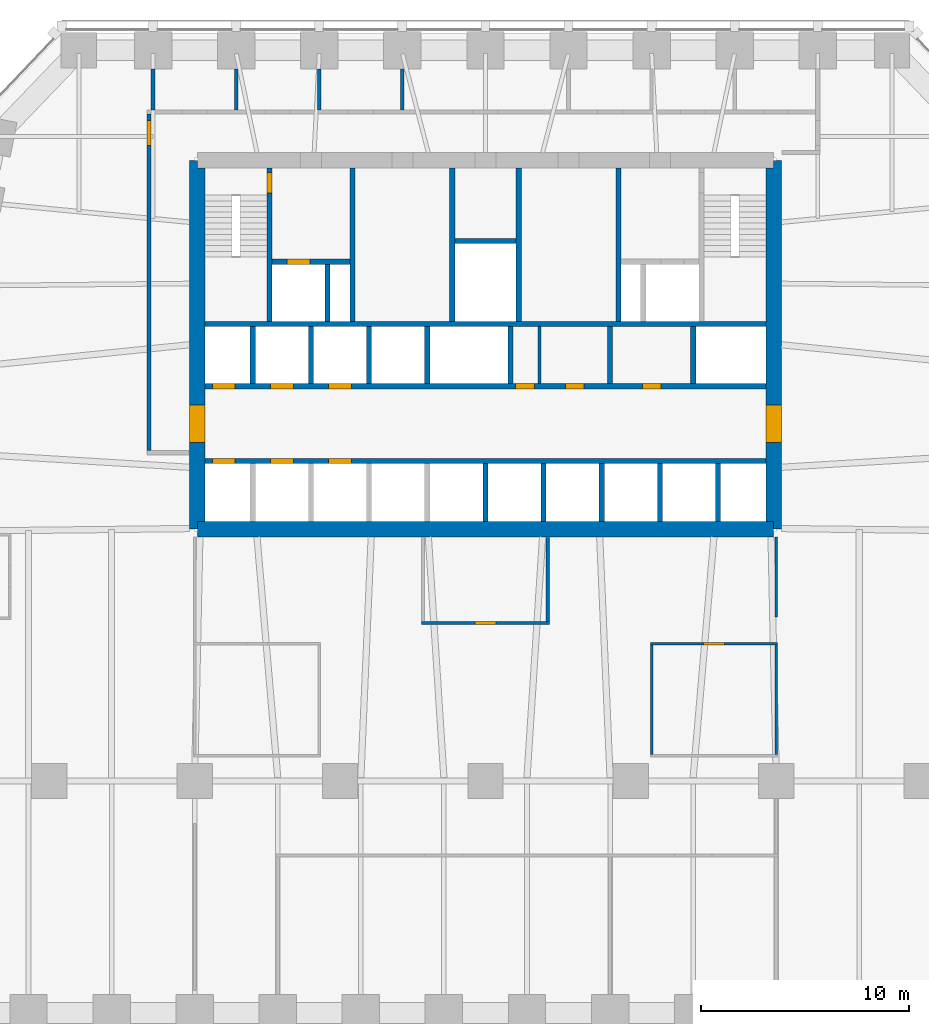
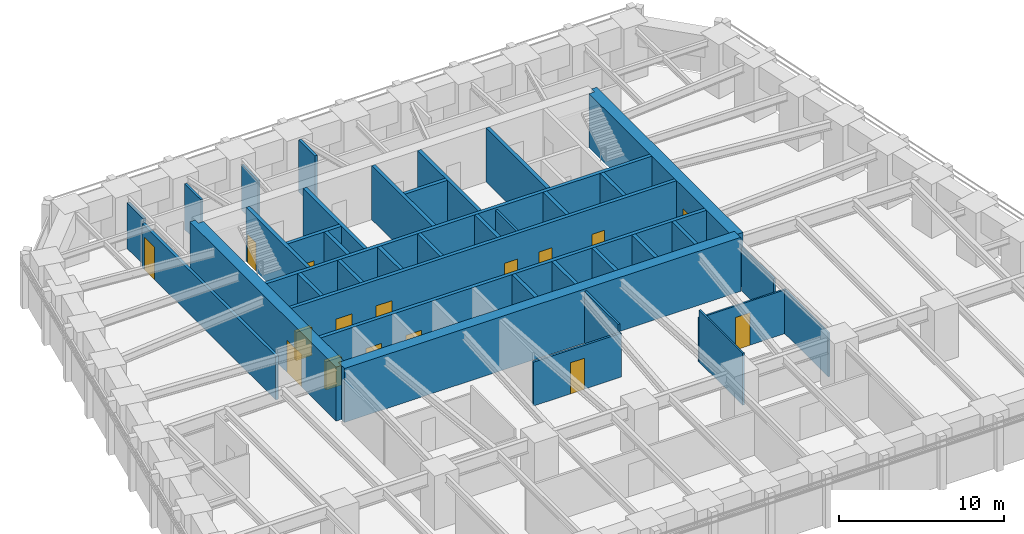
# One storey, part 6 of 9: 38 walls, 16 doors, 16 openings.
"""IFC4 building model written with IfcOpenShell, lengths in metres."""

from ifc_helpers import new_model, si_unit, direction, frame, frame_2d, origin, place, context, subcontext, project, spatial, polyline, rectangle, outline, extrude, material, layer, layer_set, type_object, element, fill, save


model = new_model("IFC4")

# Units and contexts
model_context = context("Model", 3, precision=1e-05, world=origin(), true_north=direction((0.0, 1.0)))
body_context = subcontext(model_context, "Body", "Model", "MODEL_VIEW")
ifc_project = project(units=[si_unit("LENGTHUNIT", "METRE"), si_unit("AREAUNIT", "SQUARE_METRE"), si_unit("VOLUMEUNIT", "CUBIC_METRE"), si_unit("PLANEANGLEUNIT", "RADIAN"), si_unit("MASSUNIT", "GRAM", prefix="KILO")], contexts=[model_context])

# Site, building, storey
site_placement = place(None, origin())
site = spatial("IfcSite", under=ifc_project, at=site_placement, CompositionType="ELEMENT")
building_placement = place(site_placement, origin())
building = spatial("IfcBuilding", under=site, at=building_placement, Name="Isbrekke Arena Tower", CompositionType="ELEMENT")
storey_placement = place(building_placement, frame((0.0, 0.0, 131.0)))
storey = spatial("IfcBuildingStorey", under=building, at=storey_placement, Name="L29", CompositionType="ELEMENT", Elevation=131.0)

# Wall
ifc_material_1 = material(Name="Concrete B55 (C55/67)", Category="concrete")
ifc_layer_1 = layer(ifc_material_1, 0.75)
ifc_layer_set_1 = layer_set([ifc_layer_1], Name="CW3 CORE WALL 750")
wall_type_1 = type_object("IfcWallType", Name="CW3 CORE WALL 750", PredefinedType="SHEAR", material=ifc_layer_set_1)
wall_1_placement = place(storey_placement, frame((-13.875, 6.125, 0.0), z_axis=(0.0, 0.0, 1.0), x_axis=(1.0, 0.0, 0.0)))
element("IfcWall", 1, at=wall_1_placement, inside=storey, type_object=wall_type_1, Name="Core wall S L29", PredefinedType="SHEAR", context=body_context, shape_type="SweptSolid", body=[
    extrude(rectangle(XDim=27.75, YDim=0.75, at=frame_2d((13.875, 0.0))), origin(), (0.0, 0.0, 1.0), 4.0),
])

# Wall, opening, door
wall_2_placement = place(storey_placement, frame((13.875, 6.125, 0.0), z_axis=(0.0, 0.0, 1.0), x_axis=(0.0, 1.0, 0.0)))
wall_2 = element("IfcWall", 2, at=wall_2_placement, inside=storey, type_object=wall_type_1, Name="Core wall E L29", PredefinedType="SHEAR", context=body_context, shape_type="SweptSolid", body=[
    extrude(outline(polyline([(0.0, -0.375), (17.75, -0.375), (17.75, 0.0), (17.375, 0.0), (17.375, 0.375), (0.375, 0.375), (0.375, 0.0), (0.0, 0.0), (0.0, -0.375)])), origin(), (0.0, 0.0, 1.0), 4.0),
])
opening_1_placement = place(wall_2_placement, frame((4.175048828125, 0.0, 0.0)))
opening_1 = element("IfcOpeningElement", 3, at=opening_1_placement, cuts=wall_2, Name="Opening D1", PredefinedType="OPENING", context=body_context, shape_type="SweptSolid", body=[
    extrude(rectangle(XDim=1.800048828125, YDim=2.39990234375, at=frame_2d((0.89990234375, 1.199951171875))), frame((0.0, 0.389892578125, 0.0), z_axis=(0.0, -1.0, 0.0), x_axis=(1.0, 0.0, 0.0)), (0.0, 0.0, 1.0), 0.77978515625),
])
ifc_material_2 = material(Name="Steel-framed glazed fire door", Category="steel")
door_type_1 = type_object("IfcDoorType", Name="D1 CORE LOBBY DOOR 1800 x 2400", OperationType="DOUBLE_DOOR_SINGLE_SWING", PredefinedType="DOOR", material=ifc_material_2)
door_1_placement = place(opening_1_placement, origin())
door_1 = element("IfcDoor", 4, at=door_1_placement, inside=storey, type_object=door_type_1, Name="D1 lift lobby door east L29", OperationType="DOUBLE_DOOR_SINGLE_SWING", OverallHeight=2.39990234375, OverallWidth=1.800048828125, PredefinedType="DOOR", context=body_context, shape_type="SweptSolid", body=[
    extrude(rectangle(XDim=1.800048828125, YDim=2.39990234375, at=frame_2d((0.89990234375, 1.199951171875))), frame((0.0, 0.374755859375, 0.0), z_axis=(0.0, -1.0, 0.0), x_axis=(1.0, 0.0, 0.0)), (0.0, 0.0, 1.0), 0.74951171875),
])
fill(opening_1, door_1)

wall_3_placement = place(storey_placement, frame((-13.875, 23.875, 0.0), z_axis=(0.0, 0.0, 1.0), x_axis=(0.0, -1.0, 0.0)))
wall_3 = element("IfcWall", 5, at=wall_3_placement, inside=storey, type_object=wall_type_1, Name="Core wall W L29", PredefinedType="SHEAR", context=body_context, shape_type="SweptSolid", body=[
    extrude(outline(polyline([(0.0, -0.375), (17.75, -0.375), (17.75, 0.0), (17.375, 0.0), (17.375, 0.375), (0.375, 0.375), (0.375, 0.0), (0.0, 0.0), (0.0, -0.375)])), origin(), (0.0, 0.0, 1.0), 4.0),
])
opening_2_placement = place(wall_3_placement, frame((11.77490234375, 0.0, 0.0)))
opening_2 = element("IfcOpeningElement", 6, at=opening_2_placement, cuts=wall_3, Name="Opening D1", PredefinedType="OPENING", context=body_context, shape_type="SweptSolid", body=[
    extrude(rectangle(XDim=1.800048828125, YDim=2.39990234375, at=frame_2d((0.89990234375, 1.199951171875))), frame((0.0, 0.389892578125, 0.0), z_axis=(0.0, -1.0, 0.0), x_axis=(1.0, 0.0, 0.0)), (0.0, 0.0, 1.0), 0.77978515625),
])
door_2_placement = place(opening_2_placement, origin())
door_2 = element("IfcDoor", 7, at=door_2_placement, inside=storey, type_object=door_type_1, Name="D1 lift lobby door west L29", OperationType="DOUBLE_DOOR_SINGLE_SWING", OverallHeight=2.39990234375, OverallWidth=1.800048828125, PredefinedType="DOOR", context=body_context, shape_type="SweptSolid", body=[
    extrude(rectangle(XDim=1.800048828125, YDim=2.39990234375, at=frame_2d((0.89990234375, 1.199951171875))), frame((0.0, 0.374755859375, 0.0), z_axis=(0.0, -1.0, 0.0), x_axis=(1.0, 0.0, 0.0)), (0.0, 0.0, 1.0), 0.74951171875),
])
fill(opening_2, door_2)

# Wall, openings, doors
ifc_material_3 = material(Name="Concrete B45 (C45/55)", Category="concrete")
ifc_layer_2 = layer(ifc_material_3, 0.25)
ifc_layer_set_2 = layer_set([ifc_layer_2], Name="CW6 SHAFT WALL 250")
wall_type_2 = type_object("IfcWallType", Name="CW6 SHAFT WALL 250", PredefinedType="SHEAR", material=ifc_layer_set_2)
wall_4_placement = place(storey_placement, frame((-13.5, 9.39990234375, 0.0), z_axis=(0.0, 0.0, 1.0), x_axis=(1.0, 0.0, 0.0)))
wall_4 = element("IfcWall", 8, at=wall_4_placement, inside=storey, type_object=wall_type_2, Name="Core wall LS L29", PredefinedType="SHEAR", context=body_context, shape_type="SweptSolid", body=[
    extrude(rectangle(XDim=27.0, YDim=0.25, at=frame_2d((13.5, 0.0))), origin(), (0.0, 0.0, 1.0), 4.0),
])
opening_3_placement = place(wall_4_placement, frame((0.35009765625, 0.0, 0.0)))
opening_3 = element("IfcOpeningElement", 9, at=opening_3_placement, cuts=wall_4, Name="Opening LD1", PredefinedType="OPENING", context=body_context, shape_type="SweptSolid", body=[
    extrude(rectangle(XDim=1.10009765625, YDim=2.10009765625, at=frame_2d((0.550048828125, 1.050048828125))), frame((0.0, 0.139892578125, 0.0), z_axis=(0.0, -1.0, 0.0), x_axis=(1.0, 0.0, 0.0)), (0.0, 0.0, 1.0), 0.27978515625),
])
opening_4_placement = place(wall_4_placement, frame((3.14990234375, 0.0, 0.0)))
opening_4 = element("IfcOpeningElement", 10, at=opening_4_placement, cuts=wall_4, Name="Opening LD1", PredefinedType="OPENING", context=body_context, shape_type="SweptSolid", body=[
    extrude(rectangle(XDim=1.10009765625, YDim=2.10009765625, at=frame_2d((0.550048828125, 1.050048828125))), frame((0.0, 0.139892578125, 0.0), z_axis=(0.0, -1.0, 0.0), x_axis=(1.0, 0.0, 0.0)), (0.0, 0.0, 1.0), 0.27978515625),
])
opening_5_placement = place(wall_4_placement, frame((5.949951171875, 0.0, 0.0)))
opening_5 = element("IfcOpeningElement", 11, at=opening_5_placement, cuts=wall_4, Name="Opening LD1", PredefinedType="OPENING", context=body_context, shape_type="SweptSolid", body=[
    extrude(rectangle(XDim=1.10009765625, YDim=2.10009765625, at=frame_2d((0.550048828125, 1.050048828125))), frame((0.0, 0.139892578125, 0.0), z_axis=(0.0, -1.0, 0.0), x_axis=(1.0, 0.0, 0.0)), (0.0, 0.0, 1.0), 0.27978515625),
])
ifc_material_4 = material(Name="Stainless steel lift landing door", Category="steel")
door_type_2 = type_object("IfcDoorType", Name="LD1 LIFT LANDING DOOR 1100 x 2100", OperationType="SLIDING_TO_LEFT", PredefinedType="DOOR", material=ifc_material_4)
door_3_placement = place(opening_3_placement, origin())
door_3 = element("IfcDoor", 12, at=door_3_placement, inside=storey, type_object=door_type_2, Name="LD1 lift landing door LB L29", OperationType="SLIDING_TO_LEFT", OverallHeight=2.10009765625, OverallWidth=1.10009765625, PredefinedType="DOOR", context=body_context, shape_type="SweptSolid", body=[
    extrude(rectangle(XDim=1.10009765625, YDim=2.10009765625, at=frame_2d((0.550048828125, 1.050048828125))), frame((0.0, 0.124755859375, 0.0), z_axis=(0.0, -1.0, 0.0), x_axis=(1.0, 0.0, 0.0)), (0.0, 0.0, 1.0), 0.24951171875),
])
fill(opening_3, door_3)
door_4_placement = place(opening_4_placement, origin())
door_4 = element("IfcDoor", 13, at=door_4_placement, inside=storey, type_object=door_type_2, Name="LD1 lift landing door LB L29", OperationType="SLIDING_TO_LEFT", OverallHeight=2.10009765625, OverallWidth=1.10009765625, PredefinedType="DOOR", context=body_context, shape_type="SweptSolid", body=[
    extrude(rectangle(XDim=1.10009765625, YDim=2.10009765625, at=frame_2d((0.550048828125, 1.050048828125))), frame((0.0, 0.124755859375, 0.0), z_axis=(0.0, -1.0, 0.0), x_axis=(1.0, 0.0, 0.0)), (0.0, 0.0, 1.0), 0.24951171875),
])
fill(opening_4, door_4)
door_5_placement = place(opening_5_placement, origin())
door_5 = element("IfcDoor", 14, at=door_5_placement, inside=storey, type_object=door_type_2, Name="LD1 lift landing door LB L29", OperationType="SLIDING_TO_LEFT", OverallHeight=2.10009765625, OverallWidth=1.10009765625, PredefinedType="DOOR", context=body_context, shape_type="SweptSolid", body=[
    extrude(rectangle(XDim=1.10009765625, YDim=2.10009765625, at=frame_2d((0.550048828125, 1.050048828125))), frame((0.0, 0.124755859375, 0.0), z_axis=(0.0, -1.0, 0.0), x_axis=(1.0, 0.0, 0.0)), (0.0, 0.0, 1.0), 0.24951171875),
])
fill(opening_5, door_5)

wall_5_placement = place(storey_placement, frame((-13.5, 13.0, 0.0), z_axis=(0.0, 0.0, 1.0), x_axis=(1.0, 0.0, 0.0)))
wall_5 = element("IfcWall", 15, at=wall_5_placement, inside=storey, type_object=wall_type_2, Name="Core wall LN L29", PredefinedType="SHEAR", context=body_context, shape_type="SweptSolid", body=[
    extrude(rectangle(XDim=27.0, YDim=0.25, at=frame_2d((13.5, 0.0))), origin(), (0.0, 0.0, 1.0), 4.0),
])
opening_6_placement = place(wall_5_placement, frame((0.35009765625, 0.0, 0.0)))
opening_6 = element("IfcOpeningElement", 16, at=opening_6_placement, cuts=wall_5, Name="Opening LD1", PredefinedType="OPENING", context=body_context, shape_type="SweptSolid", body=[
    extrude(rectangle(XDim=1.10009765625, YDim=2.10009765625, at=frame_2d((0.550048828125, 1.050048828125))), frame((0.0, 0.139892578125, 0.0), z_axis=(0.0, -1.0, 0.0), x_axis=(1.0, 0.0, 0.0)), (0.0, 0.0, 1.0), 0.27978515625),
])
opening_7_placement = place(wall_5_placement, frame((3.14990234375, 0.0, 0.0)))
opening_7 = element("IfcOpeningElement", 17, at=opening_7_placement, cuts=wall_5, Name="Opening LD1", PredefinedType="OPENING", context=body_context, shape_type="SweptSolid", body=[
    extrude(rectangle(XDim=1.10009765625, YDim=2.10009765625, at=frame_2d((0.550048828125, 1.050048828125))), frame((0.0, 0.139892578125, 0.0), z_axis=(0.0, -1.0, 0.0), x_axis=(1.0, 0.0, 0.0)), (0.0, 0.0, 1.0), 0.27978515625),
])
opening_8_placement = place(wall_5_placement, frame((5.949951171875, 0.0, 0.0)))
opening_8 = element("IfcOpeningElement", 18, at=opening_8_placement, cuts=wall_5, Name="Opening LD1", PredefinedType="OPENING", context=body_context, shape_type="SweptSolid", body=[
    extrude(rectangle(XDim=1.10009765625, YDim=2.10009765625, at=frame_2d((0.550048828125, 1.050048828125))), frame((0.0, 0.139892578125, 0.0), z_axis=(0.0, -1.0, 0.0), x_axis=(1.0, 0.0, 0.0)), (0.0, 0.0, 1.0), 0.27978515625),
])
opening_9_placement = place(wall_5_placement, frame((14.949951171875, 0.0, 0.0)))
opening_9 = element("IfcOpeningElement", 19, at=opening_9_placement, cuts=wall_5, Name="Opening D5", PredefinedType="OPENING", context=body_context, shape_type="SweptSolid", body=[
    extrude(rectangle(XDim=0.89990234375, YDim=2.10009765625, at=frame_2d((0.449951171875, 1.050048828125))), frame((0.0, 0.139892578125, 0.0), z_axis=(0.0, -1.0, 0.0), x_axis=(1.0, 0.0, 0.0)), (0.0, 0.0, 1.0), 0.27978515625),
])
opening_10_placement = place(wall_5_placement, frame((17.35009765625, 0.0, 0.0)))
opening_10 = element("IfcOpeningElement", 20, at=opening_10_placement, cuts=wall_5, Name="Opening D5", PredefinedType="OPENING", context=body_context, shape_type="SweptSolid", body=[
    extrude(rectangle(XDim=0.89990234375, YDim=2.10009765625, at=frame_2d((0.449951171875, 1.050048828125))), frame((0.0, 0.139892578125, 0.0), z_axis=(0.0, -1.0, 0.0), x_axis=(1.0, 0.0, 0.0)), (0.0, 0.0, 1.0), 0.27978515625),
])
opening_11_placement = place(wall_5_placement, frame((21.050048828125, 0.0, 0.0)))
opening_11 = element("IfcOpeningElement", 21, at=opening_11_placement, cuts=wall_5, Name="Opening D5", PredefinedType="OPENING", context=body_context, shape_type="SweptSolid", body=[
    extrude(rectangle(XDim=0.89990234375, YDim=2.10009765625, at=frame_2d((0.449951171875, 1.050048828125))), frame((0.0, 0.139892578125, 0.0), z_axis=(0.0, -1.0, 0.0), x_axis=(1.0, 0.0, 0.0)), (0.0, 0.0, 1.0), 0.27978515625),
])
ifc_material_5 = material(Name="Steel fire door", Category="steel")
door_type_3 = type_object("IfcDoorType", Name="D5 SERVICE DOOR 900 x 2100", OperationType="SINGLE_SWING_LEFT", PredefinedType="DOOR", material=ifc_material_5)
door_6_placement = place(opening_9_placement, origin())
door_6 = element("IfcDoor", 22, at=door_6_placement, inside=storey, type_object=door_type_3, Name="D5 communications room door L29", OperationType="SINGLE_SWING_LEFT", OverallHeight=2.10009765625, OverallWidth=0.89990234375, PredefinedType="DOOR", context=body_context, shape_type="SweptSolid", body=[
    extrude(rectangle(XDim=0.89990234375, YDim=2.10009765625, at=frame_2d((0.449951171875, 1.050048828125))), frame((0.0, 0.124755859375, 0.0), z_axis=(0.0, -1.0, 0.0), x_axis=(1.0, 0.0, 0.0)), (0.0, 0.0, 1.0), 0.24951171875),
])
fill(opening_9, door_6)
door_7_placement = place(opening_10_placement, origin())
door_7 = element("IfcDoor", 23, at=door_7_placement, inside=storey, type_object=door_type_3, Name="D5 meeting room door L29", OperationType="SINGLE_SWING_LEFT", OverallHeight=2.10009765625, OverallWidth=0.89990234375, PredefinedType="DOOR", context=body_context, shape_type="SweptSolid", body=[
    extrude(rectangle(XDim=0.89990234375, YDim=2.10009765625, at=frame_2d((0.449951171875, 1.050048828125))), frame((0.0, 0.124755859375, 0.0), z_axis=(0.0, -1.0, 0.0), x_axis=(1.0, 0.0, 0.0)), (0.0, 0.0, 1.0), 0.24951171875),
])
fill(opening_10, door_7)
door_8_placement = place(opening_11_placement, origin())
door_8 = element("IfcDoor", 24, at=door_8_placement, inside=storey, type_object=door_type_3, Name="D5 cleaner's store door L29", OperationType="SINGLE_SWING_LEFT", OverallHeight=2.10009765625, OverallWidth=0.89990234375, PredefinedType="DOOR", context=body_context, shape_type="SweptSolid", body=[
    extrude(rectangle(XDim=0.89990234375, YDim=2.10009765625, at=frame_2d((0.449951171875, 1.050048828125))), frame((0.0, 0.124755859375, 0.0), z_axis=(0.0, -1.0, 0.0), x_axis=(1.0, 0.0, 0.0)), (0.0, 0.0, 1.0), 0.24951171875),
])
fill(opening_11, door_8)
door_9_placement = place(opening_6_placement, origin())
door_9 = element("IfcDoor", 25, at=door_9_placement, inside=storey, type_object=door_type_2, Name="LD1 lift landing door LB L29", OperationType="SLIDING_TO_LEFT", OverallHeight=2.10009765625, OverallWidth=1.10009765625, PredefinedType="DOOR", context=body_context, shape_type="SweptSolid", body=[
    extrude(rectangle(XDim=1.10009765625, YDim=2.10009765625, at=frame_2d((0.550048828125, 1.050048828125))), frame((0.0, 0.124755859375, 0.0), z_axis=(0.0, -1.0, 0.0), x_axis=(1.0, 0.0, 0.0)), (0.0, 0.0, 1.0), 0.24951171875),
])
fill(opening_6, door_9)
door_10_placement = place(opening_7_placement, origin())
door_10 = element("IfcDoor", 26, at=door_10_placement, inside=storey, type_object=door_type_2, Name="LD1 lift landing door LB L29", OperationType="SLIDING_TO_LEFT", OverallHeight=2.10009765625, OverallWidth=1.10009765625, PredefinedType="DOOR", context=body_context, shape_type="SweptSolid", body=[
    extrude(rectangle(XDim=1.10009765625, YDim=2.10009765625, at=frame_2d((0.550048828125, 1.050048828125))), frame((0.0, 0.124755859375, 0.0), z_axis=(0.0, -1.0, 0.0), x_axis=(1.0, 0.0, 0.0)), (0.0, 0.0, 1.0), 0.24951171875),
])
fill(opening_7, door_10)
door_11_placement = place(opening_8_placement, origin())
door_11 = element("IfcDoor", 27, at=door_11_placement, inside=storey, type_object=door_type_2, Name="LD1 lift landing door LB L29", OperationType="SLIDING_TO_LEFT", OverallHeight=2.10009765625, OverallWidth=1.10009765625, PredefinedType="DOOR", context=body_context, shape_type="SweptSolid", body=[
    extrude(rectangle(XDim=1.10009765625, YDim=2.10009765625, at=frame_2d((0.550048828125, 1.050048828125))), frame((0.0, 0.124755859375, 0.0), z_axis=(0.0, -1.0, 0.0), x_axis=(1.0, 0.0, 0.0)), (0.0, 0.0, 1.0), 0.24951171875),
])
fill(opening_8, door_11)

# Walls
wall_6_placement = place(storey_placement, frame((-13.5, 16.0, 0.0), z_axis=(0.0, 0.0, 1.0), x_axis=(1.0, 0.0, 0.0)))
element("IfcWall", 28, at=wall_6_placement, inside=storey, type_object=wall_type_2, Name="Core wall NB L29", PredefinedType="SHEAR", context=body_context, shape_type="SweptSolid", body=[
    extrude(rectangle(XDim=27.0, YDim=0.25, at=frame_2d((13.5, 0.0))), origin(), (0.0, 0.0, 1.0), 4.0),
])
for number, where, z_axis, x_axis, name in (
    (29, (0.0, 6.5, 0.0), (0.0, 0.0, 1.0), (0.0, 1.0, 0.0), "Core wall SS05 L29"),
    (30, (2.800048828125, 6.5, 0.0), (0.0, 0.0, 1.0), (0.0, 1.0, 0.0), "Core wall SS06 L29"),
    (31, (5.60009765625, 6.5, 0.0), (0.0, 0.0, 1.0), (0.0, 1.0, 0.0), "Core wall SS07 L29"),
    (32, (8.39990234375, 6.5, 0.0), (0.0, 0.0, 1.0), (0.0, 1.0, 0.0), "Core wall SS08 L29"),
    (33, (11.199951171875, 6.5, 0.0), (0.0, 0.0, 1.0), (0.0, 1.0, 0.0), "Core wall SS09 L29"),
):
    element("IfcWall", number, at=place(storey_placement, frame(where, z_axis=z_axis, x_axis=x_axis)), inside=storey, type_object=wall_type_2, Name=name, PredefinedType="SHEAR", context=body_context, shape_type="SweptSolid", body=[
        extrude(rectangle(XDim=2.77490234375, YDim=0.25, at=frame_2d((1.387451171875, 0.0))), origin(), (0.0, 0.0, 1.0), 4.0),
    ])
for number, where, z_axis, x_axis, name in (
    (34, (-11.199951171875, 13.125, 0.0), (0.0, 0.0, 1.0), (0.0, 1.0, 0.0), "Core wall SN01 L29"),
    (35, (-8.39990234375, 13.125, 0.0), (0.0, 0.0, 1.0), (0.0, 1.0, 0.0), "Core wall SN02 L29"),
    (36, (-5.60009765625, 13.125, 0.0), (0.0, 0.0, 1.0), (0.0, 1.0, 0.0), "Core wall SN03 L29"),
    (37, (-2.800048828125, 13.125, 0.0), (0.0, 0.0, 1.0), (0.0, 1.0, 0.0), "Core wall SN04 L29"),
    (38, (1.199951171875, 13.125, 0.0), (0.0, 0.0, 1.0), (0.0, 1.0, 0.0), "Core wall SN05 L29"),
    (39, (6.0, 13.125, 0.0), (0.0, 0.0, 1.0), (0.0, 1.0, 0.0), "Core wall SN06 L29"),
    (40, (10.0, 13.125, 0.0), (0.0, 0.0, 1.0), (0.0, 1.0, 0.0), "Core wall SN07 L29"),
):
    element("IfcWall", number, at=place(storey_placement, frame(where, z_axis=z_axis, x_axis=x_axis)), inside=storey, type_object=wall_type_2, Name=name, PredefinedType="SHEAR", context=body_context, shape_type="SweptSolid", body=[
        extrude(rectangle(XDim=2.75, YDim=0.25, at=frame_2d((1.375, 0.0))), origin(), (0.0, 0.0, 1.0), 4.0),
    ])

# Wall, opening, door
wall_7_placement = place(storey_placement, frame((-10.39990234375, 16.125, 0.0), z_axis=(0.0, 0.0, 1.0), x_axis=(0.0, 1.0, 0.0)))
wall_7 = element("IfcWall", 41, at=wall_7_placement, inside=storey, type_object=wall_type_2, Name="Core wall NV01 L29", PredefinedType="SHEAR", context=body_context, shape_type="SweptSolid", body=[
    extrude(rectangle(XDim=7.375, YDim=0.25, at=frame_2d((3.6875, 0.0))), origin(), (0.0, 0.0, 1.0), 4.0),
])
opening_12_placement = place(wall_7_placement, frame((6.175048828125, 0.0, 0.0)))
opening_12 = element("IfcOpeningElement", 42, at=opening_12_placement, cuts=wall_7, Name="Opening D2", PredefinedType="OPENING", context=body_context, shape_type="SweptSolid", body=[
    extrude(rectangle(XDim=1.0, YDim=2.10009765625, at=frame_2d((0.5, 1.050048828125))), frame((0.0, 0.139892578125, 0.0), z_axis=(0.0, -1.0, 0.0), x_axis=(1.0, 0.0, 0.0)), (0.0, 0.0, 1.0), 0.27978515625),
])
ifc_material_6 = material(Name="Steel fire door", Category="steel")
door_type_4 = type_object("IfcDoorType", Name="D2 STAIR DOOR 1000 x 2100", OperationType="SINGLE_SWING_LEFT", PredefinedType="DOOR", material=ifc_material_6)
door_12_placement = place(opening_12_placement, origin())
door_12 = element("IfcDoor", 43, at=door_12_placement, inside=storey, type_object=door_type_4, Name="D2 stair door ST1 L29", OperationType="SINGLE_SWING_LEFT", OverallHeight=2.10009765625, OverallWidth=1.0, PredefinedType="DOOR", context=body_context, shape_type="SweptSolid", body=[
    extrude(rectangle(XDim=1.0, YDim=2.10009765625, at=frame_2d((0.5, 1.050048828125))), frame((0.0, 0.124755859375, 0.0), z_axis=(0.0, -1.0, 0.0), x_axis=(1.0, 0.0, 0.0)), (0.0, 0.0, 1.0), 0.24951171875),
])
fill(opening_12, door_12)

# Walls
for number, where, z_axis, x_axis, name in (
    (44, (-6.39990234375, 16.125, 0.0), (0.0, 0.0, 1.0), (0.0, 1.0, 0.0), "Core wall NV02 L29"),
    (45, (-1.60009765625, 16.125, 0.0), (0.0, 0.0, 1.0), (0.0, 1.0, 0.0), "Core wall NV03 L29"),
    (46, (1.60009765625, 16.125, 0.0), (0.0, 0.0, 1.0), (0.0, 1.0, 0.0), "Core wall NV04 L29"),
    (47, (6.39990234375, 16.125, 0.0), (0.0, 0.0, 1.0), (0.0, 1.0, 0.0), "Core wall NV05 L29"),
):
    element("IfcWall", number, at=place(storey_placement, frame(where, z_axis=z_axis, x_axis=x_axis)), inside=storey, type_object=wall_type_2, Name=name, PredefinedType="SHEAR", context=body_context, shape_type="SweptSolid", body=[
        extrude(rectangle(XDim=7.375, YDim=0.25, at=frame_2d((3.6875, 0.0))), origin(), (0.0, 0.0, 1.0), 4.0),
    ])

# Wall, opening, door
wall_8_placement = place(storey_placement, frame((-10.27490234375, 19.0, 0.0), z_axis=(0.0, 0.0, 1.0), x_axis=(1.0, 0.0, 0.0)))
wall_8 = element("IfcWall", 48, at=wall_8_placement, inside=storey, type_object=wall_type_2, Name="Core wall NFW L29", PredefinedType="SHEAR", context=body_context, shape_type="SweptSolid", body=[
    extrude(rectangle(XDim=3.75, YDim=0.25, at=frame_2d((1.875, 0.0))), origin(), (0.0, 0.0, 1.0), 4.0),
])
opening_13_placement = place(wall_8_placement, frame((0.72509765625, 0.0, 0.0)))
opening_13 = element("IfcOpeningElement", 49, at=opening_13_placement, cuts=wall_8, Name="Opening LD2", PredefinedType="OPENING", context=body_context, shape_type="SweptSolid", body=[
    extrude(rectangle(XDim=1.10009765625, YDim=2.10009765625, at=frame_2d((0.550048828125, 1.050048828125))), frame((0.0, 0.139892578125, 0.0), z_axis=(0.0, -1.0, 0.0), x_axis=(1.0, 0.0, 0.0)), (0.0, 0.0, 1.0), 0.27978515625),
])
ifc_material_7 = material(Name="Stainless steel lift landing door", Category="steel")
door_type_5 = type_object("IfcDoorType", Name="LD2 FIRE-FIGHTING LIFT LANDING DOOR 1100 x 2100", OperationType="SLIDING_TO_RIGHT", PredefinedType="DOOR", material=ifc_material_7)
door_13_placement = place(opening_13_placement, origin())
door_13 = element("IfcDoor", 50, at=door_13_placement, inside=storey, type_object=door_type_5, Name="LD2 lift landing door LF L29", OperationType="SLIDING_TO_RIGHT", OverallHeight=2.10009765625, OverallWidth=1.10009765625, PredefinedType="DOOR", context=body_context, shape_type="SweptSolid", body=[
    extrude(rectangle(XDim=1.10009765625, YDim=2.10009765625, at=frame_2d((0.550048828125, 1.050048828125))), frame((0.0, 0.124755859375, 0.0), z_axis=(0.0, -1.0, 0.0), x_axis=(1.0, 0.0, 0.0)), (0.0, 0.0, 1.0), 0.24951171875),
])
fill(opening_13, door_13)

# Walls
wall_9_placement = place(storey_placement, frame((-7.60009765625, 16.125, 0.0), z_axis=(0.0, 0.0, 1.0), x_axis=(0.0, 1.0, 0.0)))
element("IfcWall", 51, at=wall_9_placement, inside=storey, type_object=wall_type_2, Name="Core wall NFS1 L29", PredefinedType="SHEAR", context=body_context, shape_type="SweptSolid", body=[
    extrude(rectangle(XDim=2.75, YDim=0.25, at=frame_2d((1.375, 0.0))), origin(), (0.0, 0.0, 1.0), 4.0),
])
wall_10_placement = place(storey_placement, frame((-1.47509765625, 20.0, 0.0), z_axis=(0.0, 0.0, 1.0), x_axis=(1.0, 0.0, 0.0)))
element("IfcWall", 52, at=wall_10_placement, inside=storey, type_object=wall_type_2, Name="Core wall NWC L29", PredefinedType="SHEAR", context=body_context, shape_type="SweptSolid", body=[
    extrude(rectangle(XDim=2.9501953125, YDim=0.25, at=frame_2d((1.47509765625, 0.0))), origin(), (0.0, 0.0, 1.0), 4.0),
])

# Wall, opening, door
ifc_material_8 = material(Name="Gypsum board partition on steel studs", Category="steel")
ifc_layer_3 = layer(ifc_material_8, 0.14990234375)
ifc_layer_set_3 = layer_set([ifc_layer_3], Name="IW1 PARTITION 150")
wall_type_3 = type_object("IfcWallType", Name="IW1 PARTITION 150", PredefinedType="PARTITIONING", material=ifc_layer_set_3)
wall_11_placement = place(storey_placement, frame((-3.074951171875, 1.60009765625, 0.0), z_axis=(0.0, 0.0, 1.0), x_axis=(1.0, 0.0, 0.0)))
wall_11 = element("IfcWall", 53, at=wall_11_placement, inside=storey, type_object=wall_type_3, Name="IW1 partition 150 L29", PredefinedType="PARTITIONING", context=body_context, shape_type="SweptSolid", body=[
    extrude(rectangle(XDim=6.14990234375, YDim=0.14990234375, at=frame_2d((3.074951171875, 0.0))), origin(), (0.0, 0.0, 1.0), 3.25),
])
opening_14_placement = place(wall_11_placement, frame((2.574951171875, 0.0, 0.0)))
opening_14 = element("IfcOpeningElement", 54, at=opening_14_placement, cuts=wall_11, Name="Opening D10", PredefinedType="OPENING", context=body_context, shape_type="SweptSolid", body=[
    extrude(rectangle(XDim=1.0, YDim=2.300048828125, at=frame_2d((0.5, 1.14990234375))), frame((0.0, 0.08984375, 0.0), z_axis=(0.0, -1.0, 0.0), x_axis=(1.0, 0.0, 0.0)), (0.0, 0.0, 1.0), 0.1796875),
])
ifc_material_9 = material(Name="Timber door", Category="wood")
door_type_6 = type_object("IfcDoorType", Name="D10 OFFICE DOOR 1000 x 2300", OperationType="SINGLE_SWING_LEFT", PredefinedType="DOOR", material=ifc_material_9)
door_14_placement = place(opening_14_placement, origin())
door_14 = element("IfcDoor", 55, at=door_14_placement, inside=storey, type_object=door_type_6, Name="D10 print room door L29", OperationType="SINGLE_SWING_LEFT", OverallHeight=2.300048828125, OverallWidth=1.0, PredefinedType="DOOR", context=body_context, shape_type="SweptSolid", body=[
    extrude(rectangle(XDim=1.0, YDim=2.300048828125, at=frame_2d((0.5, 1.14990234375))), frame((0.0, 0.07470703125, 0.0), z_axis=(0.0, -1.0, 0.0), x_axis=(1.0, 0.0, 0.0)), (0.0, 0.0, 1.0), 0.1494140625),
])
fill(opening_14, door_14)

# Walls
for number, where, z_axis, x_axis, name in (
    (56, (-12.0, 26.300048828125, 0.0), (0.0, 0.0, 1.0), (0.0, 1.0, 0.0), "IW1 partition 150 L29"),
    (57, (-8.0, 26.300048828125, 0.0), (0.0, 0.0, 1.0), (0.0, 1.0, 0.0), "IW1 partition 150 L29"),
):
    element("IfcWall", number, at=place(storey_placement, frame(where, z_axis=z_axis, x_axis=x_axis)), inside=storey, type_object=wall_type_3, Name=name, PredefinedType="PARTITIONING", context=body_context, shape_type="SweptSolid", body=[
        extrude(rectangle(XDim=1.974853515625, YDim=0.14990234375, at=frame_2d((0.9873046875, 0.0))), origin(), (0.0, 0.0, 1.0), 3.39990234375),
    ])
wall_12_placement = place(storey_placement, frame((3.0, 1.675048828125, 0.0), z_axis=(0.0, 0.0, 1.0), x_axis=(0.0, 1.0, 0.0)))
element("IfcWall", 58, at=wall_12_placement, inside=storey, type_object=wall_type_3, Name="IW1 partition 150 L29", PredefinedType="PARTITIONING", context=body_context, shape_type="SweptSolid", body=[
    extrude(rectangle(XDim=4.044921875, YDim=0.14990234375, at=frame_2d((2.0224609375, 0.0))), origin(), (0.0, 0.0, 1.0), 3.85009765625),
])

# Wall, opening, door
ifc_material_10 = material(Name="Frameless glazed partition, laminated acoustic glass", Category="glass")
ifc_layer_4 = layer(ifc_material_10, 0.1201171875)
ifc_layer_set_4 = layer_set([ifc_layer_4], Name="IW2 GLAZED PARTITION 120")
wall_type_4 = type_object("IfcWallType", Name="IW2 GLAZED PARTITION 120", PredefinedType="PARTITIONING", material=ifc_layer_set_4)
wall_13_placement = place(storey_placement, frame((7.93994140625, 0.60009765625, 0.0), z_axis=(0.0, 0.0, 1.0), x_axis=(1.0, 0.0, 0.0)))
wall_13 = element("IfcWall", 59, at=wall_13_placement, inside=storey, type_object=wall_type_4, Name="IW2 glazed partition 120 L29", PredefinedType="PARTITIONING", context=body_context, shape_type="SweptSolid", body=[
    extrude(rectangle(XDim=6.1201171875, YDim=0.1201171875, at=frame_2d((3.06005859375, 0.0))), origin(), (0.0, 0.0, 1.0), 3.25),
])
opening_15_placement = place(wall_13_placement, frame((2.56005859375, 0.0, 0.0)))
opening_15 = element("IfcOpeningElement", 60, at=opening_15_placement, cuts=wall_13, Name="Opening D11", PredefinedType="OPENING", context=body_context, shape_type="SweptSolid", body=[
    extrude(rectangle(XDim=1.0, YDim=2.39990234375, at=frame_2d((0.5, 1.199951171875))), frame((0.0, 0.074951171875, 0.0), z_axis=(0.0, -1.0, 0.0), x_axis=(1.0, 0.0, 0.0)), (0.0, 0.0, 1.0), 0.14990234375),
])
ifc_material_11 = material(Name="Frameless glazed door", Category="glass")
door_type_7 = type_object("IfcDoorType", Name="D11 GLAZED MEETING ROOM DOOR 1000 x 2400", OperationType="SINGLE_SWING_RIGHT", PredefinedType="DOOR", material=ifc_material_11)
door_15_placement = place(opening_15_placement, origin())
door_15 = element("IfcDoor", 61, at=door_15_placement, inside=storey, type_object=door_type_7, Name="D11 meeting room door L29", OperationType="SINGLE_SWING_RIGHT", OverallHeight=2.39990234375, OverallWidth=1.0, PredefinedType="DOOR", context=body_context, shape_type="SweptSolid", body=[
    extrude(rectangle(XDim=1.0, YDim=2.39990234375, at=frame_2d((0.5, 1.199951171875))), frame((0.0, 0.059814453125, 0.0), z_axis=(0.0, -1.0, 0.0), x_axis=(1.0, 0.0, 0.0)), (0.0, 0.0, 1.0), 0.11962890625),
])
fill(opening_15, door_15)

# Walls
wall_14_placement = place(storey_placement, frame((8.0, -4.739990234375, 0.0), z_axis=(0.0, 0.0, 1.0), x_axis=(0.0, 1.0, 0.0)))
element("IfcWall", 62, at=wall_14_placement, inside=storey, type_object=wall_type_4, Name="IW2 glazed partition 120 L29", PredefinedType="PARTITIONING", context=body_context, shape_type="SweptSolid", body=[
    extrude(rectangle(XDim=5.280029296875, YDim=0.1201171875, at=frame_2d((2.64013671875, 0.0))), origin(), (0.0, 0.0, 1.0), 3.85009765625),
])
wall_15_placement = place(storey_placement, frame((14.0, -4.739990234375, 0.0), z_axis=(0.0, 0.0, 1.0), x_axis=(0.0, 1.0, 0.0)))
element("IfcWall", 63, at=wall_15_placement, inside=storey, type_object=wall_type_4, Name="IW2 glazed partition 120 L29", PredefinedType="PARTITIONING", context=body_context, shape_type="SweptSolid", body=[
    extrude(rectangle(XDim=5.280029296875, YDim=0.1201171875, at=frame_2d((2.64013671875, 0.0))), origin(), (0.0, 0.0, 1.0), 3.25),
])
wall_16_placement = place(storey_placement, frame((14.0, 1.8798828125, 0.0), z_axis=(0.0, 0.0, 1.0), x_axis=(0.0, 1.0, 0.0)))
element("IfcWall", 64, at=wall_16_placement, inside=storey, type_object=wall_type_4, Name="IW2 glazed partition 120 L29", PredefinedType="PARTITIONING", context=body_context, shape_type="SweptSolid", body=[
    extrude(rectangle(XDim=3.8701171875, YDim=0.1201171875, at=frame_2d((1.93505859375, 0.0))), origin(), (0.0, 0.0, 1.0), 3.25),
])

# Wall, opening, door
ifc_material_12 = material(Name="Gypsum board fire-cell wall on steel studs, two layers each side", Category="steel")
ifc_layer_5 = layer(ifc_material_12, 0.199951171875)
ifc_layer_set_5 = layer_set([ifc_layer_5], Name="IW3 FIRE-CELL WALL 200")
wall_type_5 = type_object("IfcWallType", Name="IW3 FIRE-CELL WALL 200", PredefinedType="PARTITIONING", material=ifc_layer_set_5)
wall_17_placement = place(storey_placement, frame((-16.199951171875, 9.89990234375, 0.0), z_axis=(0.0, 0.0, 1.0), x_axis=(0.0, 1.0, 0.0)))
wall_17 = element("IfcWall", 65, at=wall_17_placement, inside=storey, type_object=wall_type_5, Name="IW3 fire-cell wall 200 L29", PredefinedType="PARTITIONING", context=body_context, shape_type="SweptSolid", body=[
    extrude(rectangle(XDim=16.2001953125, YDim=0.199951171875, at=frame_2d((8.10009765625, 0.0))), origin(), (0.0, 0.0, 1.0), 3.25),
])
opening_16_placement = place(wall_17_placement, frame((14.699951171875, 0.0, 0.0)))
opening_16 = element("IfcOpeningElement", 66, at=opening_16_placement, cuts=wall_17, Name="Opening D12", PredefinedType="OPENING", context=body_context, shape_type="SweptSolid", body=[
    extrude(rectangle(XDim=1.199951171875, YDim=2.39990234375, at=frame_2d((0.60009765625, 1.199951171875))), frame((0.0, 0.11474609375, 0.0), z_axis=(0.0, -1.0, 0.0), x_axis=(1.0, 0.0, 0.0)), (0.0, 0.0, 1.0), 0.229736328125),
])
ifc_material_13 = material(Name="Timber fire door with vision panel", Category="wood")
door_type_8 = type_object("IfcDoorType", Name="D12 SUITE ENTRANCE DOOR 1200 x 2400", OperationType="SINGLE_SWING_LEFT", PredefinedType="DOOR", material=ifc_material_13)
door_16_placement = place(opening_16_placement, origin())
door_16 = element("IfcDoor", 67, at=door_16_placement, inside=storey, type_object=door_type_8, Name="D12 suite entrance A door L29", OperationType="SINGLE_SWING_LEFT", OverallHeight=2.39990234375, OverallWidth=1.199951171875, PredefinedType="DOOR", context=body_context, shape_type="SweptSolid", body=[
    extrude(rectangle(XDim=1.199951171875, YDim=2.39990234375, at=frame_2d((0.60009765625, 1.199951171875))), frame((0.0, 0.099609375, 0.0), z_axis=(0.0, -1.0, 0.0), x_axis=(1.0, 0.0, 0.0)), (0.0, 0.0, 1.0), 0.199462890625),
])
fill(opening_16, door_16)

# Walls
wall_18_placement = place(storey_placement, frame((-16.0, 26.300048828125, 0.0), z_axis=(0.0, 0.0, 1.0), x_axis=(0.0, 1.0, 0.0)))
element("IfcWall", 68, at=wall_18_placement, inside=storey, type_object=wall_type_5, Name="IW3 fire-cell wall 200 L29", PredefinedType="PARTITIONING", context=body_context, shape_type="SweptSolid", body=[
    extrude(rectangle(XDim=1.974853515625, YDim=0.199951171875, at=frame_2d((0.9873046875, 0.0))), origin(), (0.0, 0.0, 1.0), 3.39990234375),
])
ifc_material_14 = material(Name="Gypsum board acoustic partition on twin steel studs", Category="steel")
ifc_layer_6 = layer(ifc_material_14, 0.175048828125)
ifc_layer_set_6 = layer_set([ifc_layer_6], Name="IW4 ACOUSTIC PARTITION 175")
wall_type_6 = type_object("IfcWallType", Name="IW4 ACOUSTIC PARTITION 175", PredefinedType="PARTITIONING", material=ifc_layer_set_6)
wall_19_placement = place(storey_placement, frame((-4.0, 26.300048828125, 0.0), z_axis=(0.0, 0.0, 1.0), x_axis=(0.0, 1.0, 0.0)))
element("IfcWall", 69, at=wall_19_placement, inside=storey, type_object=wall_type_6, Name="IW4 acoustic partition 175 L29", PredefinedType="PARTITIONING", context=body_context, shape_type="SweptSolid", body=[
    extrude(rectangle(XDim=1.974853515625, YDim=0.175048828125, at=frame_2d((0.9873046875, 0.0))), origin(), (0.0, 0.0, 1.0), 3.85009765625),
])
ifc_material_15 = material(Name="Gypsum board fire-rated partition on steel studs, two layers each side", Category="steel")
ifc_layer_7 = layer(ifc_material_15, 0.14990234375)
ifc_layer_set_7 = layer_set([ifc_layer_7], Name="IW5 FIRE-RATED PARTITION 150")
wall_type_7 = type_object("IfcWallType", Name="IW5 FIRE-RATED PARTITION 150", PredefinedType="PARTITIONING", material=ifc_layer_set_7)
wall_20_placement = place(storey_placement, frame((2.60009765625, 13.125, 0.0), z_axis=(0.0, 0.0, 1.0), x_axis=(0.0, 1.0, 0.0)))
element("IfcWall", 70, at=wall_20_placement, inside=storey, type_object=wall_type_7, Name="IW5 fire-rated partition L29 core service rooms 1", PredefinedType="PARTITIONING", context=body_context, shape_type="SweptSolid", body=[
    extrude(rectangle(XDim=2.75, YDim=0.14990234375, at=frame_2d((1.375, 0.0))), origin(), (0.0, 0.0, 1.0), 3.85009765625),
])

save(model, "model.ifc")
